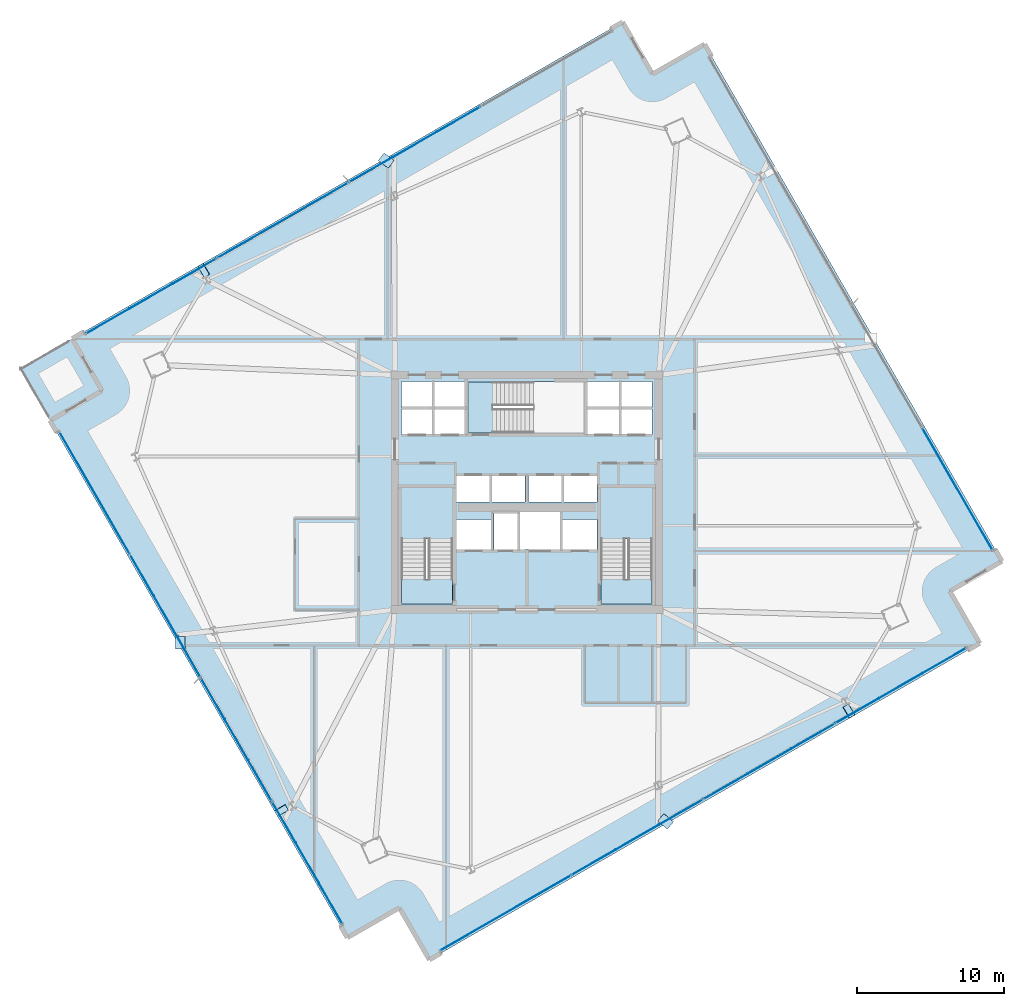
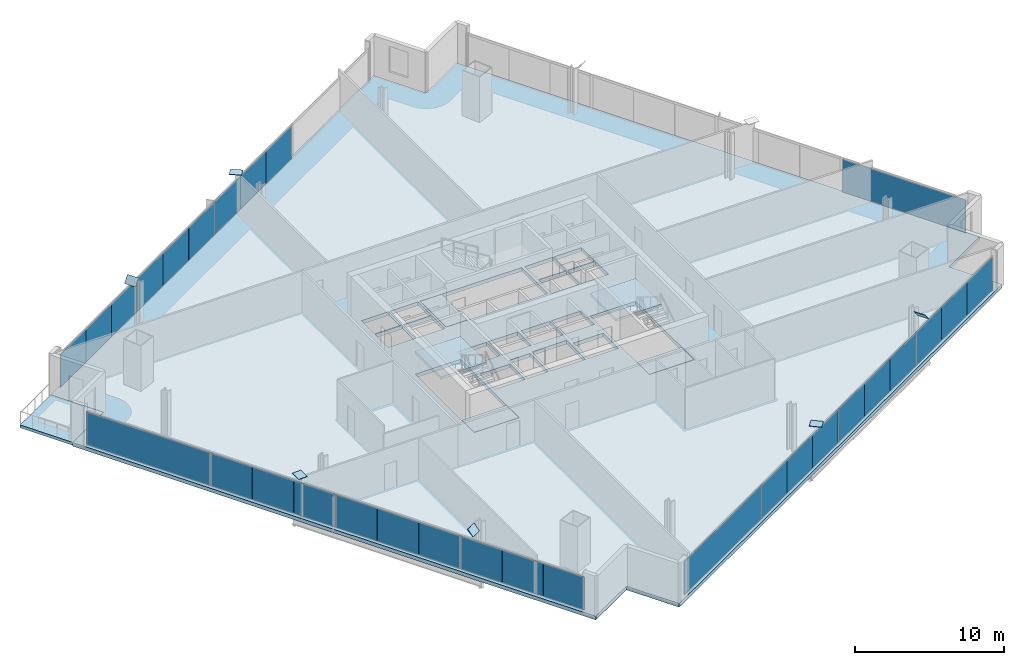
# One storey, part 22 of 33: 36 plates, 7 slabs, 6 elements without a shape of their own.
"""IFC4 building model written with IfcOpenShell, lengths in metres."""

import ifcopenshell
import ifcopenshell.guid

model = None  # the IFC model being written
_history = None  # IfcOwnerHistory: only IFC2X3 demands one
_inside = {}  # id of a spatial element -> (the spatial element, [elements in it])
_under = {}  # id of a project, library or spatial element -> (it, [spatial elements below it])
_declared = {}  # id of a project -> (the project, [libraries it declares])
_typed = {}  # id of a type object -> (the type object, [elements of that type])
_made_of = {}  # id of a material, layer set ... -> (it, [elements and type objects made of it])


def new_model(schema):
    """Start an empty IFC model of exactly this schema.

    Asked for "IFC4X3", IfcOpenShell would pick the latest addendum, in which some entities
    have other attributes; the version numbers below select the first issue.
    IFC2X3 requires an IfcOwnerHistory on every rooted entity: one is made here for all.
    """
    global model, _history
    if schema == "IFC4X3":
        model = ifcopenshell.file(schema_version=(4, 3, 0, 0))
    else:
        model = ifcopenshell.file(schema=schema)
    _inside.clear()
    _under.clear()
    _declared.clear()
    _typed.clear()
    _made_of.clear()
    _history = None
    if model.schema == "IFC2X3":
        org = make("IfcOrganization", Name="unknown")
        user = make(
            "IfcPersonAndOrganization",
            ThePerson=make("IfcPerson", FamilyName="unknown"),
            TheOrganization=org,
        )
        app = make(
            "IfcApplication",
            ApplicationDeveloper=org,
            Version="unknown",
            ApplicationFullName="unknown",
            ApplicationIdentifier="unknown",
        )
        _history = make(
            "IfcOwnerHistory",
            OwningUser=user,
            OwningApplication=app,
            ChangeAction="ADDED",
            CreationDate=0,
        )
    return model


def make(cls, **values):
    """One entity of the class cls with the attributes given. An attribute that is None is left unset."""
    return model.create_entity(
        cls, **{name: value for name, value in values.items() if value is not None}
    )


def rooted(cls, **values):
    """An entity with a GlobalId (a new one), such as an element, a storey or a relation."""
    return make(cls, GlobalId=ifcopenshell.guid.new(), OwnerHistory=_history, **values)


def si_unit(unit_type, name, prefix=None):
    """IfcSIUnit, for example si_unit("LENGTHUNIT", "METRE", prefix="MILLI")."""
    return make("IfcSIUnit", UnitType=unit_type, Prefix=prefix, Name=name)


def assignment(units):
    """IfcUnitAssignment: the units of a project."""
    return None if units is None else make("IfcUnitAssignment", Units=units)


def point(xyz):
    """IfcCartesianPoint."""
    return None if xyz is None else make("IfcCartesianPoint", Coordinates=xyz)


def direction(xyz):
    """IfcDirection."""
    return None if xyz is None else make("IfcDirection", DirectionRatios=xyz)


def frame(location, z_axis=None, x_axis=None):
    """IfcAxis2Placement3D, a coordinate frame: its origin and axes. An axis left out is left unset."""
    return make(
        "IfcAxis2Placement3D",
        Location=point(location),
        Axis=direction(z_axis),
        RefDirection=direction(x_axis),
    )


def frame_2d(location, x_axis=None):
    """IfcAxis2Placement2D, a coordinate frame in the plane: its origin and x axis."""
    return make(
        "IfcAxis2Placement2D", Location=point(location), RefDirection=direction(x_axis)
    )


def origin():
    """The frame at (0, 0, 0) with its axes left unset."""
    return frame((0.0, 0.0, 0.0))


def origin_2d():
    """The frame at (0, 0) in the plane with its x axis left unset."""
    return frame_2d((0.0, 0.0))


def place(relative_to, where):
    """IfcLocalPlacement: puts the frame where relative to a parent placement (None: the world)."""
    return make(
        "IfcLocalPlacement", PlacementRelTo=relative_to, RelativePlacement=where
    )


def context(
    kind, dimensions, precision=None, world=None, true_north=None, identifier=None
):
    """IfcGeometricRepresentationContext, for example the 3D "Model" context."""
    return make(
        "IfcGeometricRepresentationContext",
        ContextIdentifier=identifier,
        ContextType=kind,
        CoordinateSpaceDimension=dimensions,
        Precision=precision,
        WorldCoordinateSystem=world,
        TrueNorth=true_north,
    )


def subcontext(parent, identifier, kind, view, scale=None):
    """IfcGeometricRepresentationSubContext, for example "Body" below "Model"."""
    return make(
        "IfcGeometricRepresentationSubContext",
        ContextIdentifier=identifier,
        ContextType=kind,
        ParentContext=parent,
        TargetScale=scale,
        TargetView=view,
    )


def project(units=None, contexts=None):
    """IfcProject with its units and contexts."""
    return rooted(
        "IfcProject",
        Name="project",
        RepresentationContexts=contexts,
        UnitsInContext=assignment(units),
    )


def spatial(cls, under=None, at=None, **own):
    """A site, building, storey or space (cls), placed at a placement, below another one or the project."""
    s = rooted(cls, ObjectPlacement=at, **own)
    if under is not None:
        _under.setdefault(under.id(), (under, []))[1].append(s)
    return s


def polyline(points):
    """IfcPolyline through the points."""
    return make("IfcPolyline", Points=[point(p) for p in points])


def profile(cls, at=None, kind="AREA", **sizes):
    """A parametric profile (cls). Its sizes go by their IFC names, for example OverallWidth=200.0."""
    return make(cls, ProfileType=kind, Position=at, **sizes)


def rectangle(**sizes):
    """IfcRectangleProfileDef."""
    return profile("IfcRectangleProfileDef", **sizes)


def outline(outer, holes=None, kind="AREA"):
    """IfcArbitraryClosedProfileDef: a profile drawn as a closed curve; with holes, ...WithVoids."""
    if holes is None:
        return make("IfcArbitraryClosedProfileDef", ProfileType=kind, OuterCurve=outer)
    return make(
        "IfcArbitraryProfileDefWithVoids",
        ProfileType=kind,
        OuterCurve=outer,
        InnerCurves=holes,
    )


def extrude(swept, where, along, depth):
    """IfcExtrudedAreaSolid: the profile swept, set in the frame where, extruded along a direction by depth."""
    return make(
        "IfcExtrudedAreaSolid",
        SweptArea=swept,
        Position=where,
        ExtrudedDirection=direction(along),
        Depth=depth,
    )


def shape(context_of_items, identifier, shape_type, items):
    """IfcShapeRepresentation: the items that make up one representation, for example the "Body"."""
    return make(
        "IfcShapeRepresentation",
        ContextOfItems=context_of_items,
        RepresentationIdentifier=identifier,
        RepresentationType=shape_type,
        Items=items,
    )


def source(mapping_origin, context_of_items, identifier, shape_type, items):
    """IfcRepresentationMap: a shape defined once, which mapped items show again and again."""
    return make(
        "IfcRepresentationMap",
        MappingOrigin=mapping_origin,
        MappedRepresentation=shape(context_of_items, identifier, shape_type, items),
    )


def transform(
    local_origin,
    x_axis=None,
    y_axis=None,
    z_axis=None,
    scale=None,
    scale2=None,
    scale3=None,
    uniform=True,
):
    """IfcCartesianTransformationOperator3D, or its non-uniform kind. x_axis, y_axis, z_axis: its Axis1, 2, 3."""
    if uniform:
        return make(
            "IfcCartesianTransformationOperator3D",
            Axis1=direction(x_axis),
            Axis2=direction(y_axis),
            LocalOrigin=point(local_origin),
            Scale=scale,
            Axis3=direction(z_axis),
        )
    return make(
        "IfcCartesianTransformationOperator3DnonUniform",
        Axis1=direction(x_axis),
        Axis2=direction(y_axis),
        LocalOrigin=point(local_origin),
        Scale=scale,
        Axis3=direction(z_axis),
        Scale2=scale2,
        Scale3=scale3,
    )


def mapped(mapping_source, mapping_target):
    """IfcMappedItem: shows the shape of a source again, moved by a transform."""
    return make(
        "IfcMappedItem", MappingSource=mapping_source, MappingTarget=mapping_target
    )


def material(Name=None, Category=None):
    """IfcMaterial."""
    return make("IfcMaterial", Name=Name, Category=Category)


def layer(
    of_material, thickness, ventilated=None, Name=None, Category=None, Priority=None
):
    """IfcMaterialLayer: one layer of a wall or slab, of a material (None: an air gap)."""
    return make(
        "IfcMaterialLayer",
        Material=of_material,
        LayerThickness=thickness,
        IsVentilated=ventilated,
        Name=Name,
        Category=Category,
        Priority=Priority,
    )


def layer_set(layers, Name=None):
    """IfcMaterialLayerSet."""
    return make("IfcMaterialLayerSet", MaterialLayers=layers, LayerSetName=Name)


def made_of(thing, what):
    """Note that an element or type object is made of a material, layer set ...; save() writes the relation."""
    if what is not None:
        _made_of.setdefault(what.id(), (what, []))[1].append(thing)
    return thing


def type_object(cls, material=None, **own):
    """A type object (cls), such as IfcWallType, which elements share."""
    return made_of(rooted(cls, **own), material)


def element(
    cls,
    number,
    at=None,
    inside=None,
    cuts=None,
    type_object=None,
    material=None,
    context=None,
    identifier="Body",
    shape_type=None,
    held_by="IfcProductDefinitionShape",
    body=None,
    shapes=None,
    **own,
):
    """One element of the class cls, such as IfcWall. Its Tag is "e" and its number.

    at: its placement. inside: the storey or other place that contains it. cuts: it is an
    opening in that element (IfcRelVoidsElement). A single representation is given by context,
    identifier, shape_type and body (its items); several are given by shapes. held_by: the class
    of the entity that holds the representations. save() writes the other relations.
    """
    e = rooted(cls, Tag="e%d" % number, ObjectPlacement=at, **own)
    if body is not None:
        shapes = [shape(context, identifier, shape_type, body)]
    if shapes is not None:
        e.Representation = make(held_by, Representations=shapes)
    if inside is not None:
        _inside.setdefault(inside.id(), (inside, []))[1].append(e)
    if cuts is not None:
        rooted(
            "IfcRelVoidsElement", RelatingBuildingElement=cuts, RelatedOpeningElement=e
        )
    if type_object is not None:
        _typed.setdefault(type_object.id(), (type_object, []))[1].append(e)
    return made_of(e, material)


def aggregate(whole, parts):
    """IfcRelAggregates: a whole, such as a stair, and the parts it consists of."""
    return rooted("IfcRelAggregates", RelatingObject=whole, RelatedObjects=parts)


def save(model, path):
    """Write the relations noted so far, then the file.

    IfcRelAggregates (storeys below a building ...), IfcRelContainedInSpatialStructure (elements
    in a storey), IfcRelDefinesByType, IfcRelAssociatesMaterial and IfcRelDeclares: one each for
    every whole, place, type object, material and project.
    """
    for whole, parts in _under.values():
        aggregate(whole, parts)
    for where, things in _inside.values():
        rooted(
            "IfcRelContainedInSpatialStructure",
            RelatedElements=things,
            RelatingStructure=where,
        )
    for kind, things in _typed.values():
        rooted("IfcRelDefinesByType", RelatedObjects=things, RelatingType=kind)
    for what, things in _made_of.values():
        rooted("IfcRelAssociatesMaterial", RelatedObjects=things, RelatingMaterial=what)
    for by, libraries in _declared.values():
        rooted("IfcRelDeclares", RelatingContext=by, RelatedDefinitions=libraries)
    model.write(path)


model = new_model("IFC4")

# Units and contexts
model_context = context("Model", 3, precision=1e-05, world=origin(), true_north=direction((0.0, 1.0)))
body_context = subcontext(model_context, "Body", "Model", "MODEL_VIEW")
ifc_project = project(units=[si_unit("LENGTHUNIT", "METRE"), si_unit("AREAUNIT", "SQUARE_METRE"), si_unit("VOLUMEUNIT", "CUBIC_METRE"), si_unit("PLANEANGLEUNIT", "RADIAN"), si_unit("MASSUNIT", "GRAM", prefix="KILO")], contexts=[model_context])

# Site, building, storey
site_placement = place(None, origin())
site = spatial("IfcSite", under=ifc_project, at=site_placement, CompositionType="ELEMENT")
building_placement = place(site_placement, origin())
building = spatial("IfcBuilding", under=site, at=building_placement, Name="Haldenkirk Collegiate Tower", CompositionType="ELEMENT")
storey_placement = place(building_placement, frame((0.0, 0.0, 127.949951171875)))
storey = spatial("IfcBuildingStorey", under=building, at=storey_placement, Name="L31", CompositionType="ELEMENT", Elevation=127.949951171875)

# Slab
ifc_material_1 = material(Name="Concrete f'c 40 MPa", Category="concrete")
ifc_layer_1 = layer(ifc_material_1, 0.300048828125)
ifc_layer_set_1 = layer_set([ifc_layer_1], Name="Concrete f'c 40 MPa")
slab_type_1 = type_object("IfcSlabType", Name="SLB-FLR-300", PredefinedType="FLOOR", material=ifc_layer_set_1)
slab_1_placement = place(storey_placement, frame((0.0, 0.0, -0.300048828125)))
element("IfcSlab", 1, at=slab_1_placement, inside=storey, type_object=slab_type_1, Name="L31 composite structural floor slab", PredefinedType="FLOOR", context=body_context, shape_type="SweptSolid", body=[
    extrude(outline(polyline([(29.357421875, -5.87939453125), (66.89404296875, 15.705078125), (64.85009765625, 19.25927734375), (68.404541015625, 21.302978515625), (48.12841796875, 56.564208984375), (44.57421875, 54.520263671875), (42.530517578125, 58.07470703125), (4.993896484375, 36.489990234375), (7.03759765625, 32.935791015625), (3.4833984375, 30.89208984375), (23.75927734375, -4.368896484375), (27.313720703125, -2.3251953125), (29.357421875, -5.87939453125)]), holes=[polyline([(27.449951171875, 18.39990234375), (30.949951171875, 18.39990234375), (30.949951171875, 26.300048828125), (27.449951171875, 26.300048828125), (27.449951171875, 18.39990234375)]), polyline([(41.050048828125, 18.39990234375), (44.550048828125, 18.39990234375), (44.550048828125, 26.300048828125), (41.050048828125, 26.300048828125), (41.050048828125, 18.39990234375)]), polyline([(32.0, 30.050048828125), (39.89990234375, 30.050048828125), (39.89990234375, 33.550048828125), (32.0, 33.550048828125), (32.0, 30.050048828125)]), polyline([(33.75, 22.10009765625), (35.35009765625, 22.10009765625), (35.35009765625, 24.550048828125), (33.75, 24.550048828125), (33.75, 22.10009765625)]), polyline([(27.449951171875, 29.949951171875), (29.580078125, 29.949951171875), (29.580078125, 31.699951171875), (27.449951171875, 31.699951171875), (27.449951171875, 29.949951171875)]), polyline([(29.679931640625, 29.949951171875), (31.85009765625, 29.949951171875), (31.85009765625, 31.699951171875), (29.679931640625, 31.699951171875), (29.679931640625, 29.949951171875)]), polyline([(27.449951171875, 31.800048828125), (29.580078125, 31.800048828125), (29.580078125, 33.550048828125), (27.449951171875, 33.550048828125), (27.449951171875, 31.800048828125)]), polyline([(29.679931640625, 31.800048828125), (31.85009765625, 31.800048828125), (31.85009765625, 33.550048828125), (29.679931640625, 33.550048828125), (29.679931640625, 31.800048828125)]), polyline([(40.14990234375, 29.949951171875), (42.320068359375, 29.949951171875), (42.320068359375, 31.699951171875), (40.14990234375, 31.699951171875), (40.14990234375, 29.949951171875)]), polyline([(42.419921875, 29.949951171875), (44.550048828125, 29.949951171875), (44.550048828125, 31.699951171875), (42.419921875, 31.699951171875), (42.419921875, 29.949951171875)]), polyline([(40.14990234375, 31.800048828125), (42.320068359375, 31.800048828125), (42.320068359375, 33.550048828125), (40.14990234375, 33.550048828125), (40.14990234375, 31.800048828125)]), polyline([(42.419921875, 31.800048828125), (44.550048828125, 31.800048828125), (44.550048828125, 33.550048828125), (42.419921875, 33.550048828125), (42.419921875, 31.800048828125)]), polyline([(31.199951171875, 25.35009765625), (33.47998046875, 25.35009765625), (33.47998046875, 27.14990234375), (31.199951171875, 27.14990234375), (31.199951171875, 25.35009765625)]), polyline([(33.60009765625, 25.35009765625), (35.8798828125, 25.35009765625), (35.8798828125, 27.14990234375), (33.60009765625, 27.14990234375), (33.60009765625, 25.35009765625)]), polyline([(36.1201171875, 25.35009765625), (38.39990234375, 25.35009765625), (38.39990234375, 27.14990234375), (36.1201171875, 27.14990234375), (36.1201171875, 25.35009765625)]), polyline([(38.52001953125, 25.35009765625), (40.800048828125, 25.35009765625), (40.800048828125, 27.14990234375), (38.52001953125, 27.14990234375), (38.52001953125, 25.35009765625)]), polyline([(31.199951171875, 22.10009765625), (33.550048828125, 22.10009765625), (33.550048828125, 24.14990234375), (31.199951171875, 24.14990234375), (31.199951171875, 22.10009765625)]), polyline([(38.449951171875, 22.10009765625), (40.800048828125, 22.10009765625), (40.800048828125, 24.14990234375), (38.449951171875, 24.14990234375), (38.449951171875, 22.10009765625)]), polyline([(35.550048828125, 22.10009765625), (38.25, 22.10009765625), (38.25, 24.64990234375), (35.550048828125, 24.64990234375), (35.550048828125, 22.10009765625)])]), origin(), (0.0, 0.0, 1.0), 0.300048828125),
])

# Stair, slab
stair_type = type_object("IfcStairType", Name="STR-DOGLEG-1650", PredefinedType="HALF_TURN_STAIR", material=ifc_material_1)
stair_1_placement = place(storey_placement, origin())
stair_1 = element("IfcStair", 2, at=stair_1_placement, inside=storey, type_object=stair_type, Name="L31 Core Exit Stair ST-1", PredefinedType="HALF_TURN_STAIR")
ifc_layer_2 = layer(ifc_material_1, 0.199951171875)
ifc_layer_set_2 = layer_set([ifc_layer_2], Name="Concrete f'c 40 MPa")
slab_type_2 = type_object("IfcSlabType", Name="SLB-LANDING-200", PredefinedType="LANDING", material=ifc_layer_set_2)
slab_2_placement = place(storey_placement, frame((0.0, 0.0, 1.675048828125)))
slab_2 = element("IfcSlab", 3, at=slab_2_placement, type_object=slab_type_2, Name="ST-1 landing 1", PredefinedType="LANDING", context=body_context, shape_type="SweptSolid", body=[
    extrude(outline(polyline([(30.97509765625, 22.824951171875), (27.425048828125, 22.824951171875), (27.425048828125, 26.324951171875), (30.97509765625, 26.324951171875), (30.97509765625, 22.824951171875)])), origin(), (0.0, 0.0, 1.0), 0.199951171875),
])
aggregate(stair_1, [slab_2])

stair_2_placement = place(storey_placement, origin())
stair_2 = element("IfcStair", 4, at=stair_2_placement, inside=storey, type_object=stair_type, Name="L31 Core Exit Stair ST-2", PredefinedType="HALF_TURN_STAIR")
slab_3_placement = place(storey_placement, frame((0.0, 0.0, 1.675048828125)))
slab_3 = element("IfcSlab", 5, at=slab_3_placement, type_object=slab_type_2, Name="ST-2 landing 1", PredefinedType="LANDING", context=body_context, shape_type="SweptSolid", body=[
    extrude(outline(polyline([(44.574951171875, 22.824951171875), (41.02490234375, 22.824951171875), (41.02490234375, 26.324951171875), (44.574951171875, 26.324951171875), (44.574951171875, 22.824951171875)])), origin(), (0.0, 0.0, 1.0), 0.199951171875),
])
aggregate(stair_2, [slab_3])

# Slabs
ifc_layer_3 = layer(ifc_material_1, 0.25)
ifc_layer_set_3 = layer_set([ifc_layer_3], Name="Concrete f'c 40 MPa")
slab_type_3 = type_object("IfcSlabType", Name="SLB-STAIRLAND-250", PredefinedType="LANDING", material=ifc_layer_set_3)
slab_4_placement = place(storey_placement, frame((0.0, 0.0, -0.25)))
element("IfcSlab", 6, at=slab_4_placement, inside=storey, type_object=slab_type_3, Name="L31 stair ST1 structural floor landing slab", PredefinedType="LANDING", context=body_context, shape_type="SweptSolid", body=[
    extrude(outline(polyline([(27.4599609375, 18.409912109375), (30.93994140625, 18.409912109375), (30.93994140625, 20.080078125), (27.4599609375, 20.080078125), (27.4599609375, 18.409912109375)])), origin(), (0.0, 0.0, 1.0), 0.25),
])
slab_5_placement = place(storey_placement, frame((0.0, 0.0, -0.25)))
element("IfcSlab", 7, at=slab_5_placement, inside=storey, type_object=slab_type_3, Name="L31 stair ST2 structural floor landing slab", PredefinedType="LANDING", context=body_context, shape_type="SweptSolid", body=[
    extrude(outline(polyline([(41.06005859375, 18.409912109375), (44.5400390625, 18.409912109375), (44.5400390625, 20.080078125), (41.06005859375, 20.080078125), (41.06005859375, 18.409912109375)])), origin(), (0.0, 0.0, 1.0), 0.25),
])
slab_6_placement = place(storey_placement, frame((0.0, 0.0, -0.25)))
element("IfcSlab", 8, at=slab_6_placement, inside=storey, type_object=slab_type_3, Name="L31 stair ST3 structural floor landing slab", PredefinedType="LANDING", context=body_context, shape_type="SweptSolid", body=[
    extrude(outline(polyline([(32.010009765625, 30.06005859375), (33.679931640625, 30.06005859375), (33.679931640625, 33.5400390625), (32.010009765625, 33.5400390625), (32.010009765625, 30.06005859375)])), origin(), (0.0, 0.0, 1.0), 0.25),
])
ifc_layer_4 = layer(ifc_material_1, 0.22998046875)
ifc_layer_set_4 = layer_set([ifc_layer_4], Name="Concrete f'c 40 MPa")
slab_type_4 = type_object("IfcSlabType", Name="SLB-TERR-SPIRAL-230", PredefinedType="FLOOR", material=ifc_layer_set_4)
slab_7_placement = place(storey_placement, frame((0.0, 0.0, -0.22998046875)))
element("IfcSlab", 9, at=slab_7_placement, inside=storey, type_object=slab_type_4, Name="L31 spiralling corner terrace slab", PredefinedType="FLOOR", context=body_context, shape_type="SweptSolid", body=[
    extrude(outline(polyline([(3.4833984375, 30.89208984375), (7.03759765625, 32.935791015625), (4.993896484375, 36.489990234375), (1.439453125, 34.4462890625), (3.4833984375, 30.89208984375)])), origin(), (0.0, 0.0, 1.0), 0.22998046875),
])

# Plates
ifc_material_2 = material(Name="Steel ASTM A572 Grade 50", Category="steel")
ifc_layer_5 = layer(ifc_material_2, 0.034912109375)
ifc_layer_set_5 = layer_set([ifc_layer_5], Name="Steel ASTM A572 Grade 50")
plate_type_1 = type_object("IfcPlateType", Name="PLT-CAP-EXT-760X600", PredefinedType="USERDEFINED", material=ifc_layer_set_5)
shared_shape_1 = source(origin(), body_context, "Body", "SweptSolid", [
    extrude(rectangle(XDim=0.860107421875, YDim=0.659912109375, at=origin_2d()), origin(), (0.0, 0.0, 1.0), 0.034912109375),
])
for number, where, z_axis, x_axis, name in (
    (10, (45.464599609375, 3.561767578125, 3.38720703125), (-0.024580011326, -0.029434013562, 0.999264460435), (0.767553246064, -0.640985190513, -2.9953e-07), "Perimeter Mega Brace Z2 L29-L31 SL end cap plate 2"),
    (11, (57.94970703125, 11.078369140625, 3.388427734375), (0.676101913091, 0.397956948845, 0.62009392029), (-0.507256561141, 0.861795092339, -3.45208e-07), "Perimeter Mega Brace Z2 L29-L31 SR end cap plate 2"),
    (12, (26.409912109375, 48.625244140625, 3.38720703125), (0.020371997951, 0.027144997269, 0.999423899465), (-0.79981096217, 0.600251967754, -9.0796e-08), "Perimeter Mega Brace Z2 L29-L31 NL end cap plate 2"),
    (13, (13.9814453125, 41.142822265625, 3.388427734375), (-0.675938101481, -0.39770805971, 0.620432093148), (0.507112275048, -0.861880003536, -1.8612e-07), "Perimeter Mega Brace Z2 L29-L31 NR end cap plate 2"),
    (14, (12.373291015625, 15.74658203125, 3.38720703125), (-0.015739000784, -0.00041100002, 0.999876049785), (0.026082999631, -0.99965978069, -3.39881e-07), "Perimeter Mega Brace Z2 L29-L31 WL end cap plate 2"),
    (15, (19.255126953125, 4.315673828125, 3.38818359375), (0.386423024684, -0.658983042095, 0.645305041221), (0.862628113372, 0.505838648208, -4.23895e-07), "Perimeter Mega Brace Z2 L29-L31 WR end cap plate 2"),
):
    element("IfcPlate", number, at=place(storey_placement, frame(where, z_axis=z_axis, x_axis=x_axis)), inside=storey, type_object=plate_type_1, Name=name, ObjectType="END CAP PLATE", PredefinedType="USERDEFINED", context=body_context, shape_type="MappedRepresentation", body=[
        mapped(shared_shape_1, transform((0.0, 0.0, 0.0), x_axis=(1.0, 0.0, 0.0), y_axis=(0.0, 1.0, 0.0), z_axis=(0.0, 0.0, 1.0), scale=1.0)),
    ])

# Curtain wall, plates
ifc_material_3 = material(Name="Anodised architectural bronze aluminium", Category="aluminium")
curtain_wall_type_1 = type_object("IfcCurtainWallType", Name="CW-SYS2-CONCAVE", PredefinedType="USERDEFINED", material=ifc_material_3)
curtain_wall_1_placement = place(storey_placement, origin())
curtain_wall_1 = element("IfcCurtainWall", 16, at=curtain_wall_1_placement, inside=storey, type_object=curtain_wall_type_1, Name="L31 South concave recessed bronze-anodised curtain wall", ObjectType="UNITISED CURTAIN WALL", PredefinedType="USERDEFINED")
ifc_material_4 = material(Name="Low-E argon triple insulating glass", Category="glass")
ifc_layer_6 = layer(ifc_material_4, 0.0419921875)
ifc_layer_set_6 = layer_set([ifc_layer_6], Name="Low-E argon triple insulating glass")
plate_type_2 = type_object("IfcPlateType", Name="CW-PNL-02", PredefinedType="CURTAIN_PANEL", material=ifc_layer_set_6)
shared_shape_2 = source(origin(), body_context, "Body", "SweptSolid", [
    extrude(rectangle(XDim=3.408203125, YDim=0.0419921875, at=origin_2d()), origin(), (0.0, 0.0, 1.0), 2.700927734375),
])
plate_1_placement = place(storey_placement, frame((64.481689453125, 14.525390625, 0.0751953125), z_axis=(0.0, 0.0, 1.0), x_axis=(-0.866896046355, -0.498488961578, 0.0)))
plate_1 = element("IfcPlate", 17, at=plate_1_placement, type_object=plate_type_2, Name="CW-02 panel 1.1a", PredefinedType="CURTAIN_PANEL", context=body_context, shape_type="MappedRepresentation", body=[
    mapped(shared_shape_2, transform((0.0, 0.0, 0.0), x_axis=(1.0, 0.0, 0.0), y_axis=(0.0, 1.0, 0.0), z_axis=(0.0, 0.0, 1.0), scale=1.0)),
])
ifc_material_5 = material(Name="Bronze-anodised insulated aluminium spandrel panel", Category="aluminium")
ifc_layer_7 = layer(ifc_material_5, 0.0419921875)
ifc_layer_set_7 = layer_set([ifc_layer_7], Name="Bronze-anodised insulated aluminium spandrel panel")
plate_type_3 = type_object("IfcPlateType", Name="CW-SPD-02", PredefinedType="CURTAIN_PANEL", material=ifc_layer_set_7)
plate_2_placement = place(storey_placement, frame((58.539794921875, 11.10888671875, 0.0751953125), z_axis=(0.0, 0.0, 1.0), x_axis=(-0.866896046355, -0.498488961578, 0.0)))
plate_2 = element("IfcPlate", 18, at=plate_2_placement, type_object=plate_type_3, Name="CW-02 spandrel panel 1.1c", PredefinedType="CURTAIN_PANEL", context=body_context, shape_type="MappedRepresentation", body=[
    mapped(shared_shape_2, transform((0.0, 0.0, 0.0), x_axis=(1.0, 0.0, 0.0), y_axis=(0.0, 1.0, 0.0), z_axis=(0.0, 0.0, 1.0), scale=1.0)),
])
plate_3_placement = place(storey_placement, frame((52.532958984375, 7.65478515625, 0.0751953125), z_axis=(0.0, 0.0, 1.0), x_axis=(-0.866896046355, -0.498488961578, 0.0)))
plate_3 = element("IfcPlate", 19, at=plate_3_placement, type_object=plate_type_3, Name="CW-02 spandrel panel 2.1b", PredefinedType="CURTAIN_PANEL", context=body_context, shape_type="MappedRepresentation", body=[
    mapped(shared_shape_2, transform((0.0, 0.0, 0.0), x_axis=(1.0, 0.0, 0.0), y_axis=(0.0, 1.0, 0.0), z_axis=(0.0, 0.0, 1.0), scale=1.0)),
])
plate_4_placement = place(storey_placement, frame((43.5390625, 2.48291015625, 0.0751953125), z_axis=(0.0, 0.0, 1.0), x_axis=(-0.866896046355, -0.498488961578, 0.0)))
plate_4 = element("IfcPlate", 20, at=plate_4_placement, type_object=plate_type_3, Name="CW-02 spandrel panel 3.1b", PredefinedType="CURTAIN_PANEL", context=body_context, shape_type="MappedRepresentation", body=[
    mapped(shared_shape_2, transform((0.0, 0.0, 0.0), x_axis=(1.0, 0.0, 0.0), y_axis=(0.0, 1.0, 0.0), z_axis=(0.0, 0.0, 1.0), scale=1.0)),
])
shared_shape_3 = source(origin(), body_context, "Body", "SweptSolid", [
    extrude(rectangle(XDim=3.395751953125, YDim=0.0419921875, at=origin_2d()), origin(), (0.0, 0.0, 1.0), 2.700927734375),
])
plate_5_placement = place(storey_placement, frame((61.5107421875, 12.817138671875, 0.0751953125), z_axis=(0.0, 0.0, 1.0), x_axis=(-0.866896046355, -0.498488961578, 0.0)))
plate_5 = element("IfcPlate", 21, at=plate_5_placement, type_object=plate_type_2, Name="CW-02 panel 1.1b", PredefinedType="CURTAIN_PANEL", context=body_context, shape_type="MappedRepresentation", body=[
    mapped(shared_shape_3, transform((0.0, 0.0, 0.0), x_axis=(1.0, 0.0, 0.0), y_axis=(0.0, 1.0, 0.0), z_axis=(0.0, 0.0, 1.0), scale=1.0)),
])
shared_shape_4 = source(origin(), body_context, "Body", "SweptSolid", [
    extrude(rectangle(XDim=3.4208984375, YDim=0.0419921875, at=origin_2d()), origin(), (0.0, 0.0, 1.0), 2.700927734375),
])
plate_6_placement = place(storey_placement, frame((55.514892578125, 9.369384765625, 0.0751953125), z_axis=(0.0, 0.0, 1.0), x_axis=(-0.866896046355, -0.498488961578, 0.0)))
plate_6 = element("IfcPlate", 22, at=plate_6_placement, type_object=plate_type_3, Name="CW-02 spandrel panel 2.1a", PredefinedType="CURTAIN_PANEL", context=body_context, shape_type="MappedRepresentation", body=[
    mapped(shared_shape_4, transform((0.0, 0.0, 0.0), x_axis=(1.0, 0.0, 0.0), y_axis=(0.0, 1.0, 0.0), z_axis=(0.0, 0.0, 1.0), scale=1.0)),
])
plate_7_placement = place(storey_placement, frame((49.55126953125, 5.940185546875, 0.0751953125), z_axis=(0.0, 0.0, 1.0), x_axis=(-0.866896046355, -0.498488961578, 0.0)))
plate_7 = element("IfcPlate", 23, at=plate_7_placement, type_object=plate_type_2, Name="CW-02 panel 2.1c", PredefinedType="CURTAIN_PANEL", context=body_context, shape_type="MappedRepresentation", body=[
    mapped(shared_shape_4, transform((0.0, 0.0, 0.0), x_axis=(1.0, 0.0, 0.0), y_axis=(0.0, 1.0, 0.0), z_axis=(0.0, 0.0, 1.0), scale=1.0)),
])
plate_8_placement = place(storey_placement, frame((46.520751953125, 4.197509765625, 0.0751953125), z_axis=(0.0, 0.0, 1.0), x_axis=(-0.866896046355, -0.498488961578, 0.0)))
plate_8 = element("IfcPlate", 24, at=plate_8_placement, type_object=plate_type_3, Name="CW-02 spandrel panel 3.1a", PredefinedType="CURTAIN_PANEL", context=body_context, shape_type="MappedRepresentation", body=[
    mapped(shared_shape_4, transform((0.0, 0.0, 0.0), x_axis=(1.0, 0.0, 0.0), y_axis=(0.0, 1.0, 0.0), z_axis=(0.0, 0.0, 1.0), scale=1.0)),
])
plate_9_placement = place(storey_placement, frame((40.55712890625, 0.768310546875, 0.0751953125), z_axis=(0.0, 0.0, 1.0), x_axis=(-0.866896046355, -0.498488961578, 0.0)))
plate_9 = element("IfcPlate", 25, at=plate_9_placement, type_object=plate_type_2, Name="CW-02 panel 3.1c", PredefinedType="CURTAIN_PANEL", context=body_context, shape_type="MappedRepresentation", body=[
    mapped(shared_shape_4, transform((0.0, 0.0, 0.0), x_axis=(1.0, 0.0, 0.0), y_axis=(0.0, 1.0, 0.0), z_axis=(0.0, 0.0, 1.0), scale=1.0)),
])
shared_shape_5 = source(origin(), body_context, "Body", "SweptSolid", [
    extrude(rectangle(XDim=10.262451171875, YDim=0.0419921875, at=origin_2d()), origin(), (0.0, 0.0, 1.0), 2.700927734375),
])
plate_10_placement = place(storey_placement, frame((34.561279296875, -2.6796875, 0.0751953125), z_axis=(0.0, 0.0, 1.0), x_axis=(-0.866896046355, -0.498488961578, 0.0)))
plate_10 = element("IfcPlate", 26, at=plate_10_placement, type_object=plate_type_2, Name="CW-02 panel 4.1", PredefinedType="CURTAIN_PANEL", context=body_context, shape_type="MappedRepresentation", body=[
    mapped(shared_shape_5, transform((0.0, 0.0, 0.0), x_axis=(1.0, 0.0, 0.0), y_axis=(0.0, 1.0, 0.0), z_axis=(0.0, 0.0, 1.0), scale=1.0)),
])
aggregate(curtain_wall_1, [plate_1, plate_5, plate_2, plate_6, plate_3, plate_7, plate_8, plate_4, plate_9, plate_10])

curtain_wall_type_2 = type_object("IfcCurtainWallType", Name="CW-SYS1-CONVEX-LOW", PredefinedType="USERDEFINED", material=ifc_material_3)
curtain_wall_2_placement = place(storey_placement, origin())
curtain_wall_2 = element("IfcCurtainWall", 27, at=curtain_wall_2_placement, inside=storey, type_object=curtain_wall_type_2, Name="L31 Lower tower convex bronze-framed unitised curtain wall", ObjectType="UNITISED CURTAIN WALL", PredefinedType="USERDEFINED")
ifc_layer_8 = layer(ifc_material_4, 0.0439453125)
ifc_layer_set_8 = layer_set([ifc_layer_8], Name="Low-E argon triple insulating glass")
plate_type_4 = type_object("IfcPlateType", Name="CW-PNL-1A", PredefinedType="CURTAIN_PANEL", material=ifc_layer_set_8)
shared_shape_6 = source(origin(), body_context, "Body", "SweptSolid", [
    extrude(rectangle(XDim=3.18701171875, YDim=0.0439453125, at=origin_2d()), origin(), (0.0, 0.0, 1.0), 2.69091796875),
])
plate_11_placement = place(storey_placement, frame((22.632568359375, -2.04833984375, 0.080078125), z_axis=(0.0, 0.0, 1.0), x_axis=(-0.498489586061, 0.866895687259, 0.0)))
plate_11 = element("IfcPlate", 28, at=plate_11_placement, type_object=plate_type_4, Name="CW-1A panel 1.1a", PredefinedType="CURTAIN_PANEL", context=body_context, shape_type="MappedRepresentation", body=[
    mapped(shared_shape_6, transform((0.0, 0.0, 0.0), x_axis=(1.0, 0.0, 0.0), y_axis=(0.0, 1.0, 0.0), z_axis=(0.0, 0.0, 1.0), scale=1.0)),
])
ifc_layer_9 = layer(ifc_material_5, 0.0439453125)
ifc_layer_set_9 = layer_set([ifc_layer_9], Name="Bronze-anodised insulated aluminium spandrel panel")
plate_type_5 = type_object("IfcPlateType", Name="CW-SPD-1A", PredefinedType="CURTAIN_PANEL", material=ifc_layer_set_9)
plate_12_placement = place(storey_placement, frame((19.436279296875, 3.510009765625, 0.080078125), z_axis=(0.0, 0.0, 1.0), x_axis=(-0.498489586061, 0.866895687259, 0.0)))
plate_12 = element("IfcPlate", 29, at=plate_12_placement, type_object=plate_type_5, Name="CW-1A spandrel panel 1.1c", PredefinedType="CURTAIN_PANEL", context=body_context, shape_type="MappedRepresentation", body=[
    mapped(shared_shape_6, transform((0.0, 0.0, 0.0), x_axis=(1.0, 0.0, 0.0), y_axis=(0.0, 1.0, 0.0), z_axis=(0.0, 0.0, 1.0), scale=1.0)),
])
shared_shape_7 = source(origin(), body_context, "Body", "SweptSolid", [
    extrude(rectangle(XDim=3.174560546875, YDim=0.0439453125, at=origin_2d()), origin(), (0.0, 0.0, 1.0), 2.69091796875),
])
plate_13_placement = place(storey_placement, frame((21.034423828125, 0.730712890625, 0.080078125), z_axis=(0.0, 0.0, 1.0), x_axis=(-0.498489586061, 0.866895687259, 0.0)))
plate_13 = element("IfcPlate", 30, at=plate_13_placement, type_object=plate_type_4, Name="CW-1A panel 1.1b", PredefinedType="CURTAIN_PANEL", context=body_context, shape_type="MappedRepresentation", body=[
    mapped(shared_shape_7, transform((0.0, 0.0, 0.0), x_axis=(1.0, 0.0, 0.0), y_axis=(0.0, 1.0, 0.0), z_axis=(0.0, 0.0, 1.0), scale=1.0)),
])
shared_shape_8 = source(origin(), body_context, "Body", "SweptSolid", [
    extrude(rectangle(XDim=3.200439453125, YDim=0.0439453125, at=origin_2d()), origin(), (0.0, 0.0, 1.0), 2.69091796875),
])
plate_14_placement = place(storey_placement, frame((17.804443359375, 6.347900390625, 0.080078125), z_axis=(0.0, 0.0, 1.0), x_axis=(-0.498489586061, 0.866895687259, 0.0)))
plate_14 = element("IfcPlate", 31, at=plate_14_placement, type_object=plate_type_5, Name="CW-1A spandrel panel 2.1a", PredefinedType="CURTAIN_PANEL", context=body_context, shape_type="MappedRepresentation", body=[
    mapped(shared_shape_8, transform((0.0, 0.0, 0.0), x_axis=(1.0, 0.0, 0.0), y_axis=(0.0, 1.0, 0.0), z_axis=(0.0, 0.0, 1.0), scale=1.0)),
])
plate_15_placement = place(storey_placement, frame((14.594970703125, 11.92919921875, 0.080078125), z_axis=(0.0, 0.0, 1.0), x_axis=(-0.498489586061, 0.866895687259, 0.0)))
plate_15 = element("IfcPlate", 32, at=plate_15_placement, type_object=plate_type_4, Name="CW-1A panel 2.1c", PredefinedType="CURTAIN_PANEL", context=body_context, shape_type="MappedRepresentation", body=[
    mapped(shared_shape_8, transform((0.0, 0.0, 0.0), x_axis=(1.0, 0.0, 0.0), y_axis=(0.0, 1.0, 0.0), z_axis=(0.0, 0.0, 1.0), scale=1.0)),
])
plate_16_placement = place(storey_placement, frame((12.959716796875, 14.773193359375, 0.080078125), z_axis=(0.0, 0.0, 1.0), x_axis=(-0.498489586061, 0.866895687259, 0.0)))
plate_16 = element("IfcPlate", 33, at=plate_16_placement, type_object=plate_type_5, Name="CW-1A spandrel panel 3.1a", PredefinedType="CURTAIN_PANEL", context=body_context, shape_type="MappedRepresentation", body=[
    mapped(shared_shape_8, transform((0.0, 0.0, 0.0), x_axis=(1.0, 0.0, 0.0), y_axis=(0.0, 1.0, 0.0), z_axis=(0.0, 0.0, 1.0), scale=1.0)),
])
plate_17_placement = place(storey_placement, frame((9.750244140625, 20.3544921875, 0.080078125), z_axis=(0.0, 0.0, 1.0), x_axis=(-0.498489586061, 0.866895687259, 0.0)))
plate_17 = element("IfcPlate", 34, at=plate_17_placement, type_object=plate_type_4, Name="CW-1A panel 3.1c", PredefinedType="CURTAIN_PANEL", context=body_context, shape_type="MappedRepresentation", body=[
    mapped(shared_shape_8, transform((0.0, 0.0, 0.0), x_axis=(1.0, 0.0, 0.0), y_axis=(0.0, 1.0, 0.0), z_axis=(0.0, 0.0, 1.0), scale=1.0)),
])
shared_shape_9 = source(origin(), body_context, "Body", "SweptSolid", [
    extrude(rectangle(XDim=3.18798828125, YDim=0.0439453125, at=origin_2d()), origin(), (0.0, 0.0, 1.0), 2.69091796875),
])
plate_18_placement = place(storey_placement, frame((16.19970703125, 9.138671875, 0.080078125), z_axis=(0.0, 0.0, 1.0), x_axis=(-0.498489586061, 0.866895687259, 0.0)))
plate_18 = element("IfcPlate", 35, at=plate_18_placement, type_object=plate_type_5, Name="CW-1A spandrel panel 2.1b", PredefinedType="CURTAIN_PANEL", context=body_context, shape_type="MappedRepresentation", body=[
    mapped(shared_shape_9, transform((0.0, 0.0, 0.0), x_axis=(1.0, 0.0, 0.0), y_axis=(0.0, 1.0, 0.0), z_axis=(0.0, 0.0, 1.0), scale=1.0)),
])
plate_19_placement = place(storey_placement, frame((11.35498046875, 17.563720703125, 0.080078125), z_axis=(0.0, 0.0, 1.0), x_axis=(-0.498489586061, 0.866895687259, 0.0)))
plate_19 = element("IfcPlate", 36, at=plate_19_placement, type_object=plate_type_5, Name="CW-1A spandrel panel 3.1b", PredefinedType="CURTAIN_PANEL", context=body_context, shape_type="MappedRepresentation", body=[
    mapped(shared_shape_9, transform((0.0, 0.0, 0.0), x_axis=(1.0, 0.0, 0.0), y_axis=(0.0, 1.0, 0.0), z_axis=(0.0, 0.0, 1.0), scale=1.0)),
])

# Curtain wall, plate
curtain_wall_3_placement = place(storey_placement, origin())
curtain_wall_3 = element("IfcCurtainWall", 37, at=curtain_wall_3_placement, inside=storey, type_object=curtain_wall_type_2, Name="L31 Lower tower convex bronze-framed unitised curtain wall", ObjectType="UNITISED CURTAIN WALL", PredefinedType="USERDEFINED")
shared_shape_10 = source(origin(), body_context, "Body", "SweptSolid", [
    extrude(rectangle(XDim=9.598876953125, YDim=0.0439453125, at=origin_2d()), origin(), (0.0, 0.0, 1.0), 2.69091796875),
])
plate_20_placement = place(storey_placement, frame((65.36767578125, 26.2236328125, 0.080078125), z_axis=(0.0, 0.0, 1.0), x_axis=(0.498489586061, -0.866895687259, 0.0)))
plate_20 = element("IfcPlate", 38, at=plate_20_placement, type_object=plate_type_4, Name="CW-1A panel 4.1", PredefinedType="CURTAIN_PANEL", context=body_context, shape_type="MappedRepresentation", body=[
    mapped(shared_shape_10, transform((0.0, 0.0, 0.0), x_axis=(1.0, 0.0, 0.0), y_axis=(0.0, 1.0, 0.0), z_axis=(0.0, 0.0, 1.0), scale=1.0)),
])
aggregate(curtain_wall_3, [plate_20])

# Plate
plate_21_placement = place(storey_placement, frame((6.520263671875, 25.9716796875, 0.080078125), z_axis=(0.0, 0.0, 1.0), x_axis=(-0.498489586061, 0.866895687259, 0.0)))
plate_21 = element("IfcPlate", 39, at=plate_21_placement, type_object=plate_type_4, Name="CW-1A panel 4.1", PredefinedType="CURTAIN_PANEL", context=body_context, shape_type="MappedRepresentation", body=[
    mapped(shared_shape_10, transform((0.0, 0.0, 0.0), x_axis=(1.0, 0.0, 0.0), y_axis=(0.0, 1.0, 0.0), z_axis=(0.0, 0.0, 1.0), scale=1.0)),
])

aggregate(curtain_wall_2, [plate_11, plate_13, plate_12, plate_14, plate_18, plate_15, plate_16, plate_19, plate_17, plate_21])

# Curtain wall, plates
curtain_wall_4_placement = place(storey_placement, origin())
curtain_wall_4 = element("IfcCurtainWall", 40, at=curtain_wall_4_placement, inside=storey, type_object=curtain_wall_type_2, Name="L31 Lower tower convex bronze-framed unitised curtain wall", ObjectType="UNITISED CURTAIN WALL", PredefinedType="USERDEFINED")
shared_shape_11 = source(origin(), body_context, "Body", "SweptSolid", [
    extrude(rectangle(XDim=3.40576171875, YDim=0.0439453125, at=origin_2d()), origin(), (0.0, 0.0, 1.0), 2.69091796875),
])
plate_22_placement = place(storey_placement, frame((7.4091796875, 37.67138671875, 0.080078125), z_axis=(0.0, 0.0, 1.0), x_axis=(0.866896046355, 0.498488961578, 0.0)))
plate_22 = element("IfcPlate", 41, at=plate_22_placement, type_object=plate_type_4, Name="CW-1A panel 1.1a", PredefinedType="CURTAIN_PANEL", context=body_context, shape_type="MappedRepresentation", body=[
    mapped(shared_shape_11, transform((0.0, 0.0, 0.0), x_axis=(1.0, 0.0, 0.0), y_axis=(0.0, 1.0, 0.0), z_axis=(0.0, 0.0, 1.0), scale=1.0)),
])
plate_23_placement = place(storey_placement, frame((13.3466796875, 41.085693359375, 0.080078125), z_axis=(0.0, 0.0, 1.0), x_axis=(0.866896046355, 0.498488961578, 0.0)))
plate_23 = element("IfcPlate", 42, at=plate_23_placement, type_object=plate_type_5, Name="CW-1A spandrel panel 1.1c", PredefinedType="CURTAIN_PANEL", context=body_context, shape_type="MappedRepresentation", body=[
    mapped(shared_shape_11, transform((0.0, 0.0, 0.0), x_axis=(1.0, 0.0, 0.0), y_axis=(0.0, 1.0, 0.0), z_axis=(0.0, 0.0, 1.0), scale=1.0)),
])
shared_shape_12 = source(origin(), body_context, "Body", "SweptSolid", [
    extrude(rectangle(XDim=3.393310546875, YDim=0.0439453125, at=origin_2d()), origin(), (0.0, 0.0, 1.0), 2.69091796875),
])
plate_24_placement = place(storey_placement, frame((10.378173828125, 39.378662109375, 0.080078125), z_axis=(0.0, 0.0, 1.0), x_axis=(0.866896046355, 0.498488961578, 0.0)))
plate_24 = element("IfcPlate", 43, at=plate_24_placement, type_object=plate_type_4, Name="CW-1A panel 1.1b", PredefinedType="CURTAIN_PANEL", context=body_context, shape_type="MappedRepresentation", body=[
    mapped(shared_shape_12, transform((0.0, 0.0, 0.0), x_axis=(1.0, 0.0, 0.0), y_axis=(0.0, 1.0, 0.0), z_axis=(0.0, 0.0, 1.0), scale=1.0)),
])
shared_shape_13 = source(origin(), body_context, "Body", "SweptSolid", [
    extrude(rectangle(XDim=3.419189453125, YDim=0.0439453125, at=origin_2d()), origin(), (0.0, 0.0, 1.0), 2.69091796875),
])
plate_25_placement = place(storey_placement, frame((16.37451171875, 42.82666015625, 0.080078125), z_axis=(0.0, 0.0, 1.0), x_axis=(0.866896046355, 0.498488961578, 0.0)))
plate_25 = element("IfcPlate", 44, at=plate_25_placement, type_object=plate_type_5, Name="CW-1A spandrel panel 2.1a", PredefinedType="CURTAIN_PANEL", context=body_context, shape_type="MappedRepresentation", body=[
    mapped(shared_shape_13, transform((0.0, 0.0, 0.0), x_axis=(1.0, 0.0, 0.0), y_axis=(0.0, 1.0, 0.0), z_axis=(0.0, 0.0, 1.0), scale=1.0)),
])
plate_26_placement = place(storey_placement, frame((22.335205078125, 46.254150390625, 0.080078125), z_axis=(0.0, 0.0, 1.0), x_axis=(0.866896046355, 0.498488961578, 0.0)))
plate_26 = element("IfcPlate", 45, at=plate_26_placement, type_object=plate_type_4, Name="CW-1A panel 2.1c", PredefinedType="CURTAIN_PANEL", context=body_context, shape_type="MappedRepresentation", body=[
    mapped(shared_shape_13, transform((0.0, 0.0, 0.0), x_axis=(1.0, 0.0, 0.0), y_axis=(0.0, 1.0, 0.0), z_axis=(0.0, 0.0, 1.0), scale=1.0)),
])
plate_27_placement = place(storey_placement, frame((25.368408203125, 47.99853515625, 0.080078125), z_axis=(0.0, 0.0, 1.0), x_axis=(0.866896046355, 0.498488961578, 0.0)))
plate_27 = element("IfcPlate", 46, at=plate_27_placement, type_object=plate_type_5, Name="CW-1A spandrel panel 3.1a", PredefinedType="CURTAIN_PANEL", context=body_context, shape_type="MappedRepresentation", body=[
    mapped(shared_shape_13, transform((0.0, 0.0, 0.0), x_axis=(1.0, 0.0, 0.0), y_axis=(0.0, 1.0, 0.0), z_axis=(0.0, 0.0, 1.0), scale=1.0)),
])
plate_28_placement = place(storey_placement, frame((31.3291015625, 51.426025390625, 0.080078125), z_axis=(0.0, 0.0, 1.0), x_axis=(0.866896046355, 0.498488961578, 0.0)))
plate_28 = element("IfcPlate", 47, at=plate_28_placement, type_object=plate_type_4, Name="CW-1A panel 3.1c", PredefinedType="CURTAIN_PANEL", context=body_context, shape_type="MappedRepresentation", body=[
    mapped(shared_shape_13, transform((0.0, 0.0, 0.0), x_axis=(1.0, 0.0, 0.0), y_axis=(0.0, 1.0, 0.0), z_axis=(0.0, 0.0, 1.0), scale=1.0)),
])
shared_shape_14 = source(origin(), body_context, "Body", "SweptSolid", [
    extrude(rectangle(XDim=3.40673828125, YDim=0.0439453125, at=origin_2d()), origin(), (0.0, 0.0, 1.0), 2.69091796875),
])
plate_29_placement = place(storey_placement, frame((19.354736328125, 44.540283203125, 0.080078125), z_axis=(0.0, 0.0, 1.0), x_axis=(0.866896046355, 0.498488961578, 0.0)))
plate_29 = element("IfcPlate", 48, at=plate_29_placement, type_object=plate_type_5, Name="CW-1A spandrel panel 2.1b", PredefinedType="CURTAIN_PANEL", context=body_context, shape_type="MappedRepresentation", body=[
    mapped(shared_shape_14, transform((0.0, 0.0, 0.0), x_axis=(1.0, 0.0, 0.0), y_axis=(0.0, 1.0, 0.0), z_axis=(0.0, 0.0, 1.0), scale=1.0)),
])
plate_30_placement = place(storey_placement, frame((28.348876953125, 49.71240234375, 0.080078125), z_axis=(0.0, 0.0, 1.0), x_axis=(0.866896046355, 0.498488961578, 0.0)))
plate_30 = element("IfcPlate", 49, at=plate_30_placement, type_object=plate_type_5, Name="CW-1A spandrel panel 3.1b", PredefinedType="CURTAIN_PANEL", context=body_context, shape_type="MappedRepresentation", body=[
    mapped(shared_shape_14, transform((0.0, 0.0, 0.0), x_axis=(1.0, 0.0, 0.0), y_axis=(0.0, 1.0, 0.0), z_axis=(0.0, 0.0, 1.0), scale=1.0)),
])
aggregate(curtain_wall_4, [plate_22, plate_24, plate_23, plate_25, plate_29, plate_26, plate_27, plate_30, plate_28])

save(model, "model.ifc")
